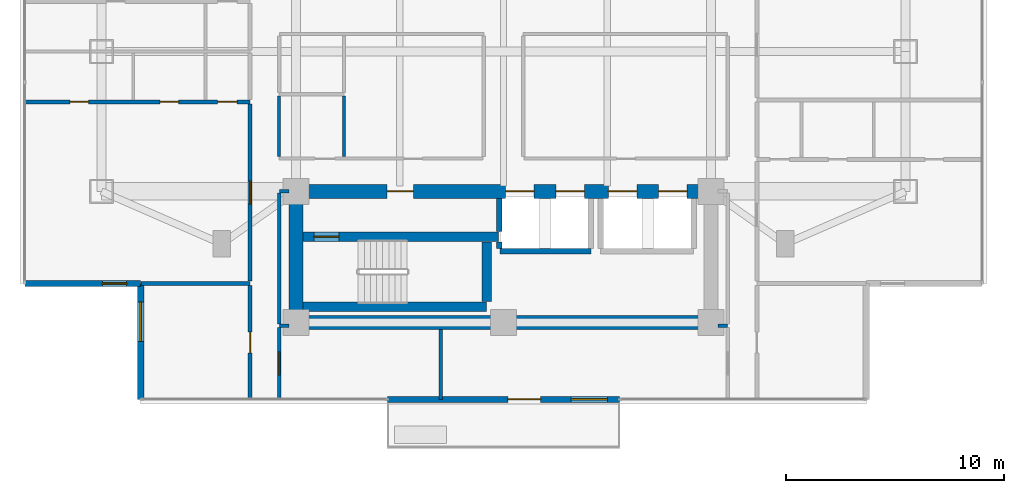
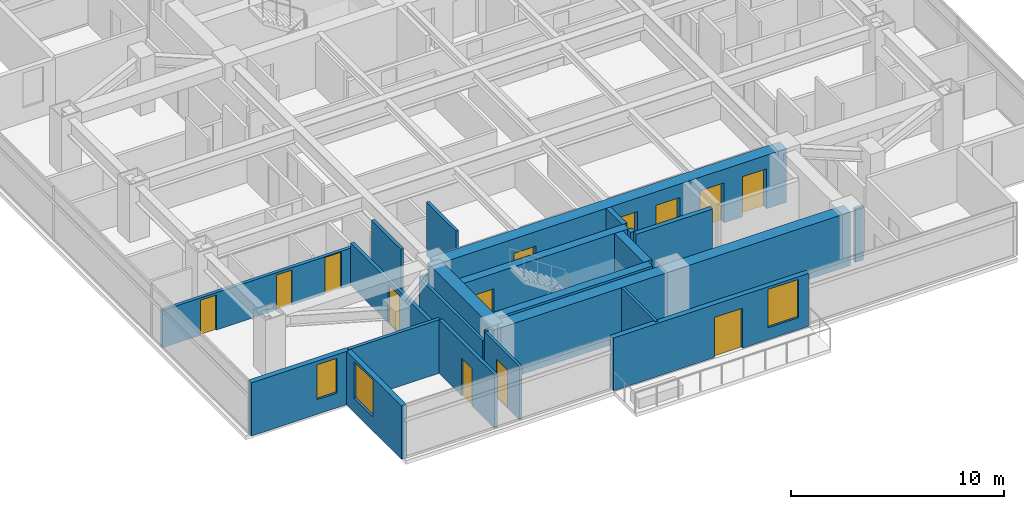
# One storey, part 13 of 26: 24 walls, 13 doors, 3 windows, 16 openings.
"""IFC4 building model written with IfcOpenShell, lengths in metres."""

from ifc_helpers import new_model, si_unit, direction, frame, frame_2d, origin, place, context, subcontext, project, spatial, rectangle, extrude, material, layer, layer_set, type_object, element, fill, save


model = new_model("IFC4")

# Units and contexts
model_context = context("Model", 3, precision=1e-05, world=origin(), true_north=direction((0.0, 1.0)))
body_context = subcontext(model_context, "Body", "Model", "MODEL_VIEW")
ifc_project = project(units=[si_unit("LENGTHUNIT", "METRE"), si_unit("AREAUNIT", "SQUARE_METRE"), si_unit("VOLUMEUNIT", "CUBIC_METRE"), si_unit("PLANEANGLEUNIT", "RADIAN"), si_unit("MASSUNIT", "GRAM", prefix="KILO")], contexts=[model_context])

# Site, building, storey
site_placement = place(None, origin())
site = spatial("IfcSite", under=ifc_project, at=site_placement, CompositionType="ELEMENT")
building_placement = place(site_placement, origin())
building = spatial("IfcBuilding", under=site, at=building_placement, Name="Mirazonda Arch Towers", CompositionType="ELEMENT")
storey_placement = place(building_placement, frame((0.0, 0.0, 108.199951171875)))
storey = spatial("IfcBuildingStorey", under=building, at=storey_placement, Name="L30", CompositionType="ELEMENT", Elevation=108.199951171875)

# Wall
ifc_material_1 = material(Name="Concrete C50/60", Category="concrete")
ifc_layer_1 = layer(ifc_material_1, 0.449951171875, Name="WALL-CORE-450")
ifc_layer_set_1 = layer_set([ifc_layer_1], Name="Concrete C50/60")
wall_type_1 = type_object("IfcWallType", Name="WALL-CORE-450", PredefinedType="SHEAR", material=ifc_layer_set_1)
wall_1_placement = place(storey_placement, frame((11.320068359375, 13.1201171875, 0.0), z_axis=(0.0, 0.0, 1.0), x_axis=(1.0, 0.0, 0.0)))
element("IfcWall", 1, at=wall_1_placement, inside=storey, type_object=wall_type_1, Name="L30 Stair Core Shear Wall 003", PredefinedType="SHEAR", context=body_context, shape_type="SweptSolid", body=[
    extrude(rectangle(XDim=8.409912109375, YDim=0.449951171875, at=frame_2d((4.205078125, 0.0))), origin(), (0.0, 0.0, 1.0), 3.080078125),
])

# Wall, opening, door
wall_2_placement = place(storey_placement, frame((11.320068359375, 16.320068359375, 0.0), z_axis=(0.0, 0.0, 1.0), x_axis=(1.0, 0.0, 0.0)))
wall_2 = element("IfcWall", 2, at=wall_2_placement, inside=storey, type_object=wall_type_1, Name="L30 Stair Core Shear Wall 008", PredefinedType="SHEAR", context=body_context, shape_type="SweptSolid", body=[
    extrude(rectangle(XDim=8.9599609375, YDim=0.449951171875, at=frame_2d((4.47998046875, 0.0))), origin(), (0.0, 0.0, 1.0), 3.080078125),
])
opening_1_placement = place(wall_2_placement, frame((0.4951171875, 0.0, 0.0)))
opening_1 = element("IfcOpeningElement", 3, at=opening_1_placement, cuts=wall_2, Name="Opening DR-135", PredefinedType="OPENING", context=body_context, shape_type="SweptSolid", body=[
    extrude(rectangle(XDim=1.14990234375, YDim=2.199951171875, at=frame_2d((0.574951171875, 1.10009765625))), frame((0.0, 0.23486328125, 0.0), z_axis=(0.0, -1.0, 0.0), x_axis=(1.0, 0.0, 0.0)), (0.0, 0.0, 1.0), 0.469970703125),
])
ifc_material_2 = material(Name="Architectural Brushed Steel S355", Category="steel")
door_type_1 = type_object("IfcDoorType", Name="DOOR-STAIR-FD90-1150", OperationType="NOTDEFINED", PredefinedType="DOOR", material=ifc_material_2)
door_1_placement = place(opening_1_placement, origin())
door_1 = element("IfcDoor", 4, at=door_1_placement, inside=storey, type_object=door_type_1, Name="L30 Protected Exit Stair South Door", OperationType="SINGLE_SWING_LEFT", OverallHeight=2.199951171875, OverallWidth=1.14990234375, PredefinedType="DOOR", context=body_context, shape_type="SweptSolid", body=[
    extrude(rectangle(XDim=1.14990234375, YDim=2.199951171875, at=frame_2d((0.574951171875, 1.10009765625))), frame((0.0, 0.02490234375, 0.0), z_axis=(0.0, -1.0, 0.0), x_axis=(1.0, 0.0, 0.0)), (0.0, 0.0, 1.0), 0.050048828125),
])
fill(opening_1, door_1)

# Walls
wall_3_placement = place(storey_placement, frame((19.72998046875, 13.35498046875, 0.0), z_axis=(0.0, 0.0, 1.0), x_axis=(0.0, 1.0, 0.0)))
element("IfcWall", 5, at=wall_3_placement, inside=storey, type_object=wall_type_1, Name="L30 Stair Core Shear Wall 092", PredefinedType="SHEAR", context=body_context, shape_type="SweptSolid", body=[
    extrude(rectangle(XDim=2.72998046875, YDim=0.449951171875, at=frame_2d((1.364990234375, 0.0))), origin(), (0.0, 0.0, 1.0), 3.080078125),
])
ifc_material_3 = material(Name="Concrete C60/75", Category="concrete")
ifc_layer_2 = layer(ifc_material_3, 0.64990234375, Name="WALL-CORE-650")
ifc_layer_set_2 = layer_set([ifc_layer_2], Name="Concrete C60/75")
wall_type_2 = type_object("IfcWallType", Name="WALL-CORE-650", PredefinedType="SHEAR", material=ifc_layer_set_2)
wall_4_placement = place(storey_placement, frame((11.0, 12.39990234375, 0.0), z_axis=(0.0, 0.0, 1.0), x_axis=(1.0, 0.0, 0.0)))
element("IfcWall", 6, at=wall_4_placement, inside=storey, type_object=wall_type_2, Name="L30 T1S-S Core Shear Wall", PredefinedType="SHEAR", context=body_context, shape_type="SweptSolid", body=[
    extrude(rectangle(XDim=19.0, YDim=0.64990234375, at=frame_2d((9.5, 0.0))), origin(), (0.0, 0.0, 1.0), 3.080078125),
])
wall_5_placement = place(storey_placement, frame((11.0, 12.39990234375, 0.0), z_axis=(0.0, 0.0, 1.0), x_axis=(0.0, 1.0, 0.0)))
element("IfcWall", 7, at=wall_5_placement, inside=storey, type_object=wall_type_2, Name="L30 T1S-W Core Shear Wall", PredefinedType="SHEAR", context=body_context, shape_type="SweptSolid", body=[
    extrude(rectangle(XDim=6.0, YDim=0.64990234375, at=frame_2d((3.0, 0.0))), origin(), (0.0, 0.0, 1.0), 3.080078125),
])

# Wall, openings, doors
wall_6_placement = place(storey_placement, frame((11.0, 18.39990234375, 0.0), z_axis=(0.0, 0.0, 1.0), x_axis=(1.0, 0.0, 0.0)))
wall_6 = element("IfcWall", 8, at=wall_6_placement, inside=storey, type_object=wall_type_2, Name="L30 T1S-N Core Shear Wall", PredefinedType="SHEAR", context=body_context, shape_type="SweptSolid", body=[
    extrude(rectangle(XDim=19.0, YDim=0.64990234375, at=frame_2d((9.5, 0.0))), origin(), (0.0, 0.0, 1.0), 3.080078125),
])
opening_2_placement = place(wall_6_placement, frame((4.175048828125, 0.0, 0.0)))
opening_2 = element("IfcOpeningElement", 9, at=opening_2_placement, cuts=wall_6, Name="Opening DR-117", PredefinedType="OPENING", context=body_context, shape_type="SweptSolid", body=[
    extrude(rectangle(XDim=1.199951171875, YDim=2.25, at=frame_2d((0.60009765625, 1.125))), frame((0.0, 0.3349609375, 0.0), z_axis=(0.0, -1.0, 0.0), x_axis=(1.0, 0.0, 0.0)), (0.0, 0.0, 1.0), 0.669921875),
])
opening_3_placement = place(wall_6_placement, frame((9.60009765625, 0.0, 0.0)))
opening_3 = element("IfcOpeningElement", 10, at=opening_3_placement, cuts=wall_6, Name="Opening LD-111", PredefinedType="OPENING", context=body_context, shape_type="SweptSolid", body=[
    extrude(rectangle(XDim=1.300048828125, YDim=2.300048828125, at=frame_2d((0.64990234375, 1.14990234375))), frame((0.0, 0.3349609375, 0.0), z_axis=(0.0, -1.0, 0.0), x_axis=(1.0, 0.0, 0.0)), (0.0, 0.0, 1.0), 0.669921875),
])
opening_4_placement = place(wall_6_placement, frame((11.89990234375, 0.0, 0.0)))
opening_4 = element("IfcOpeningElement", 11, at=opening_4_placement, cuts=wall_6, Name="Opening LD-111", PredefinedType="OPENING", context=body_context, shape_type="SweptSolid", body=[
    extrude(rectangle(XDim=1.300048828125, YDim=2.300048828125, at=frame_2d((0.64990234375, 1.14990234375))), frame((0.0, 0.3349609375, 0.0), z_axis=(0.0, -1.0, 0.0), x_axis=(1.0, 0.0, 0.0)), (0.0, 0.0, 1.0), 0.669921875),
])
opening_5_placement = place(wall_6_placement, frame((14.300048828125, 0.0, 0.0)))
opening_5 = element("IfcOpeningElement", 12, at=opening_5_placement, cuts=wall_6, Name="Opening LD-111", PredefinedType="OPENING", context=body_context, shape_type="SweptSolid", body=[
    extrude(rectangle(XDim=1.300048828125, YDim=2.300048828125, at=frame_2d((0.64990234375, 1.14990234375))), frame((0.0, 0.3349609375, 0.0), z_axis=(0.0, -1.0, 0.0), x_axis=(1.0, 0.0, 0.0)), (0.0, 0.0, 1.0), 0.669921875),
])
opening_6_placement = place(wall_6_placement, frame((16.60009765625, 0.0, 0.0)))
opening_6 = element("IfcOpeningElement", 13, at=opening_6_placement, cuts=wall_6, Name="Opening LD-111", PredefinedType="OPENING", context=body_context, shape_type="SweptSolid", body=[
    extrude(rectangle(XDim=1.300048828125, YDim=2.300048828125, at=frame_2d((0.64990234375, 1.14990234375))), frame((0.0, 0.3349609375, 0.0), z_axis=(0.0, -1.0, 0.0), x_axis=(1.0, 0.0, 0.0)), (0.0, 0.0, 1.0), 0.669921875),
])
door_type_2 = type_object("IfcDoorType", Name="DOOR-FFL-FD90-1200", OperationType="NOTDEFINED", PredefinedType="DOOR", material=ifc_material_2)
door_2_placement = place(opening_2_placement, origin())
door_2 = element("IfcDoor", 14, at=door_2_placement, inside=storey, type_object=door_type_2, Name="L30 South Core Stair & Lift Lobby Door", OperationType="SINGLE_SWING_RIGHT", OverallHeight=2.25, OverallWidth=1.199951171875, PredefinedType="DOOR", context=body_context, shape_type="SweptSolid", body=[
    extrude(rectangle(XDim=1.199951171875, YDim=2.25, at=frame_2d((0.60009765625, 1.125))), frame((0.0, 0.02490234375, 0.0), z_axis=(0.0, -1.0, 0.0), x_axis=(1.0, 0.0, 0.0)), (0.0, 0.0, 1.0), 0.050048828125),
])
fill(opening_2, door_2)
door_type_3 = type_object("IfcDoorType", Name="DOOR-LIFT-LAND-1300", OperationType="NOTDEFINED", PredefinedType="DOOR", material=ifc_material_2)
door_3_placement = place(opening_3_placement, origin())
door_3 = element("IfcDoor", 15, at=door_3_placement, inside=storey, type_object=door_type_3, Name="L30 Lift Landing Sliding Door PL-T1M1", OperationType="DOUBLE_DOOR_SLIDING", OverallHeight=2.300048828125, OverallWidth=1.300048828125, PredefinedType="DOOR", context=body_context, shape_type="SweptSolid", body=[
    extrude(rectangle(XDim=1.300048828125, YDim=2.300048828125, at=frame_2d((0.64990234375, 1.14990234375))), frame((0.0, 0.02490234375, 0.0), z_axis=(0.0, -1.0, 0.0), x_axis=(1.0, 0.0, 0.0)), (0.0, 0.0, 1.0), 0.050048828125),
])
fill(opening_3, door_3)
door_4_placement = place(opening_4_placement, origin())
door_4 = element("IfcDoor", 16, at=door_4_placement, inside=storey, type_object=door_type_3, Name="L30 Lift Landing Sliding Door PL-T1M2", OperationType="DOUBLE_DOOR_SLIDING", OverallHeight=2.300048828125, OverallWidth=1.300048828125, PredefinedType="DOOR", context=body_context, shape_type="SweptSolid", body=[
    extrude(rectangle(XDim=1.300048828125, YDim=2.300048828125, at=frame_2d((0.64990234375, 1.14990234375))), frame((0.0, 0.02490234375, 0.0), z_axis=(0.0, -1.0, 0.0), x_axis=(1.0, 0.0, 0.0)), (0.0, 0.0, 1.0), 0.050048828125),
])
fill(opening_4, door_4)
door_5_placement = place(opening_5_placement, origin())
door_5 = element("IfcDoor", 17, at=door_5_placement, inside=storey, type_object=door_type_3, Name="L30 Lift Landing Sliding Door PL-T1H1", OperationType="DOUBLE_DOOR_SLIDING", OverallHeight=2.300048828125, OverallWidth=1.300048828125, PredefinedType="DOOR", context=body_context, shape_type="SweptSolid", body=[
    extrude(rectangle(XDim=1.300048828125, YDim=2.300048828125, at=frame_2d((0.64990234375, 1.14990234375))), frame((0.0, 0.02490234375, 0.0), z_axis=(0.0, -1.0, 0.0), x_axis=(1.0, 0.0, 0.0)), (0.0, 0.0, 1.0), 0.050048828125),
])
fill(opening_5, door_5)
door_6_placement = place(opening_6_placement, origin())
door_6 = element("IfcDoor", 18, at=door_6_placement, inside=storey, type_object=door_type_3, Name="L30 Lift Landing Sliding Door PL-T1H2", OperationType="DOUBLE_DOOR_SLIDING", OverallHeight=2.300048828125, OverallWidth=1.300048828125, PredefinedType="DOOR", context=body_context, shape_type="SweptSolid", body=[
    extrude(rectangle(XDim=1.300048828125, YDim=2.300048828125, at=frame_2d((0.64990234375, 1.14990234375))), frame((0.0, 0.02490234375, 0.0), z_axis=(0.0, -1.0, 0.0), x_axis=(1.0, 0.0, 0.0)), (0.0, 0.0, 1.0), 0.050048828125),
])
fill(opening_6, door_6)

# Wall, openings, door, window
ifc_material_4 = material(Name="Precast Concrete C40/50", Category="concrete")
ifc_layer_3 = layer(ifc_material_4, 0.280029296875, Name="WALL-EXT-WALL-280")
ifc_layer_set_3 = layer_set([ifc_layer_3], Name="Precast Concrete C40/50")
wall_type_3 = type_object("IfcWallType", Name="WALL-EXT-WALL-280", PredefinedType="SOLIDWALL", material=ifc_layer_set_3)
wall_7_placement = place(storey_placement, frame((25.800048828125, 8.882080078125, 0.0), z_axis=(0.0, 0.0, 1.0), x_axis=(-1.0, 0.0, 0.0)))
wall_7 = element("IfcWall", 19, at=wall_7_placement, inside=storey, type_object=wall_type_3, Name="L30 T1 Sky-Terrace Threshold Wall WL-TERR-L30-T1", PredefinedType="SOLIDWALL", context=body_context, shape_type="SweptSolid", body=[
    extrude(rectangle(XDim=10.60009765625, YDim=0.280029296875, at=frame_2d((5.300048828125, 0.0))), origin(), (0.0, 0.0, 1.0), 3.0400390625),
])
opening_7_placement = place(wall_7_placement, frame((0.550048828125, 0.0, 0.68994140625)))
opening_7 = element("IfcOpeningElement", 20, at=opening_7_placement, cuts=wall_7, Name="Opening WN-115", PredefinedType="OPENING", context=body_context, shape_type="SweptSolid", body=[
    extrude(rectangle(XDim=1.64990234375, YDim=2.199951171875, at=frame_2d((0.824951171875, 1.10009765625))), frame((0.0, 0.14990234375, 0.0), z_axis=(0.0, -1.0, 0.0), x_axis=(1.0, 0.0, 0.0)), (0.0, 0.0, 1.0), 0.300048828125),
])
opening_8_placement = place(wall_7_placement, frame((3.60009765625, 0.0, 0.0)))
opening_8 = element("IfcOpeningElement", 21, at=opening_8_placement, cuts=wall_7, Name="Opening DR-116", PredefinedType="OPENING", context=body_context, shape_type="SweptSolid", body=[
    extrude(rectangle(XDim=1.5, YDim=2.300048828125, at=frame_2d((0.75, 1.14990234375))), frame((0.0, 0.14990234375, 0.0), z_axis=(0.0, -1.0, 0.0), x_axis=(1.0, 0.0, 0.0)), (0.0, 0.0, 1.0), 0.300048828125),
])
ifc_material_5 = material(Name="Architectural Hardwood Timber", Category="wood")
door_type_4 = type_object("IfcDoorType", Name="DOOR-TERR-EXT-1500", OperationType="NOTDEFINED", PredefinedType="DOOR", material=ifc_material_5)
door_7_placement = place(opening_8_placement, origin())
door_7 = element("IfcDoor", 22, at=door_7_placement, inside=storey, type_object=door_type_4, Name="L30 Exterior Door DR-TERR-L30-T1", OperationType="SINGLE_SWING_LEFT", OverallHeight=2.300048828125, OverallWidth=1.5, PredefinedType="DOOR", context=body_context, shape_type="SweptSolid", body=[
    extrude(rectangle(XDim=1.5, YDim=2.300048828125, at=frame_2d((0.75, 1.14990234375))), frame((0.0, 0.02490234375, 0.0), z_axis=(0.0, -1.0, 0.0), x_axis=(1.0, 0.0, 0.0)), (0.0, 0.0, 1.0), 0.050048828125),
])
fill(opening_8, door_7)
ifc_material_6 = material(Name="Insulated Low-E Solar Glass", Category="glass")
window_type_1 = type_object("IfcWindowType", Name="WIN-RES-1650x2200", PartitioningType="SINGLE_PANEL", PredefinedType="WINDOW", material=ifc_material_6)
window_1_placement = place(opening_7_placement, origin())
window_1 = element("IfcWindow", 23, at=window_1_placement, inside=storey, type_object=window_type_1, Name="L30 Punched Facade Window WN-TERR-L30-T1", OverallHeight=2.199951171875, OverallWidth=1.64990234375, PartitioningType="SINGLE_PANEL", PredefinedType="WINDOW", context=body_context, shape_type="SweptSolid", body=[
    extrude(rectangle(XDim=1.64990234375, YDim=2.199951171875, at=frame_2d((0.824951171875, 1.10009765625))), frame((0.0, 0.030029296875, 0.0), z_axis=(0.0, -1.0, 0.0), x_axis=(1.0, 0.0, 0.0)), (0.0, 0.0, 1.0), 0.06005859375),
])
fill(opening_7, window_1)

# Wall, opening, window
wall_8_placement = place(storey_placement, frame((3.89501953125, 14.18701171875, 0.0), z_axis=(0.0, 0.0, 1.0), x_axis=(0.0, -1.0, 0.0)))
wall_8 = element("IfcWall", 24, at=wall_8_placement, inside=storey, type_object=wall_type_3, Name="L30 T1 Notched SW Corner Wall WL-L30-T1-CSW", PredefinedType="SOLIDWALL", context=body_context, shape_type="SweptSolid", body=[
    extrude(rectangle(XDim=5.304931640625, YDim=0.280029296875, at=frame_2d((2.65234375, 0.0))), origin(), (0.0, 0.0, 1.0), 3.06005859375),
])
opening_9_placement = place(wall_8_placement, frame((0.85009765625, 0.0, 0.81005859375)))
opening_9 = element("IfcOpeningElement", 25, at=opening_9_placement, cuts=wall_8, Name="Opening WN-116", PredefinedType="OPENING", context=body_context, shape_type="SweptSolid", body=[
    extrude(rectangle(XDim=1.800048828125, YDim=2.10009765625, at=frame_2d((0.89990234375, 1.050048828125))), frame((0.0, 0.14990234375, 0.0), z_axis=(0.0, -1.0, 0.0), x_axis=(1.0, 0.0, 0.0)), (0.0, 0.0, 1.0), 0.300048828125),
])
window_type_2 = type_object("IfcWindowType", Name="WIN-HTL-1800x2100", PartitioningType="SINGLE_PANEL", PredefinedType="WINDOW", material=ifc_material_6)
window_2_placement = place(opening_9_placement, origin())
window_2 = element("IfcWindow", 26, at=window_2_placement, inside=storey, type_object=window_type_2, Name="L30 Punched Facade Window WN-L30-T1-CSW", OverallHeight=2.10009765625, OverallWidth=1.800048828125, PartitioningType="SINGLE_PANEL", PredefinedType="WINDOW", context=body_context, shape_type="SweptSolid", body=[
    extrude(rectangle(XDim=1.800048828125, YDim=2.10009765625, at=frame_2d((0.89990234375, 1.050048828125))), frame((0.0, 0.030029296875, 0.0), z_axis=(0.0, -1.0, 0.0), x_axis=(1.0, 0.0, 0.0)), (0.0, 0.0, 1.0), 0.06005859375),
])
fill(opening_9, window_2)

wall_9_placement = place(storey_placement, frame((-1.409912109375, 14.18701171875, 0.0), z_axis=(0.0, 0.0, 1.0), x_axis=(1.0, 0.0, 0.0)))
wall_9 = element("IfcWall", 27, at=wall_9_placement, inside=storey, type_object=wall_type_3, Name="L30 T1 Corner Notch Return Wall WL-L30-T1-CSW2", PredefinedType="SOLIDWALL", context=body_context, shape_type="SweptSolid", body=[
    extrude(rectangle(XDim=5.304931640625, YDim=0.280029296875, at=frame_2d((2.65234375, 0.0))), origin(), (0.0, 0.0, 1.0), 3.06005859375),
])
opening_10_placement = place(wall_9_placement, frame((3.554931640625, 0.0, 0.85009765625)))
opening_10 = element("IfcOpeningElement", 28, at=opening_10_placement, cuts=wall_9, Name="Opening WN-108", PredefinedType="OPENING", context=body_context, shape_type="SweptSolid", body=[
    extrude(rectangle(XDim=1.10009765625, YDim=2.0, at=frame_2d((0.550048828125, 1.0))), frame((0.0, 0.14990234375, 0.0), z_axis=(0.0, -1.0, 0.0), x_axis=(1.0, 0.0, 0.0)), (0.0, 0.0, 1.0), 0.300048828125),
])
window_type_3 = type_object("IfcWindowType", Name="WIN-NOTCH-1100x2000", PartitioningType="SINGLE_PANEL", PredefinedType="WINDOW", material=ifc_material_6)
window_3_placement = place(opening_10_placement, origin())
window_3 = element("IfcWindow", 29, at=window_3_placement, inside=storey, type_object=window_type_3, Name="L30 Punched Facade Window WN-L30-T1-CSW2", OverallHeight=2.0, OverallWidth=1.10009765625, PartitioningType="SINGLE_PANEL", PredefinedType="WINDOW", context=body_context, shape_type="SweptSolid", body=[
    extrude(rectangle(XDim=1.10009765625, YDim=2.0, at=frame_2d((0.550048828125, 1.0))), frame((0.0, 0.030029296875, 0.0), z_axis=(0.0, -1.0, 0.0), x_axis=(1.0, 0.0, 0.0)), (0.0, 0.0, 1.0), 0.06005859375),
])
fill(opening_10, window_3)

# Walls
ifc_material_7 = material(Name="Fire-Rated Gypsum Stud Partition")
ifc_layer_4 = layer(ifc_material_7, 0.14990234375, Name="WALL-PART-CORR-150")
ifc_layer_set_4 = layer_set([ifc_layer_4], Name="Fire-Rated Gypsum Stud Partition")
wall_type_4 = type_object("IfcWallType", Name="WALL-PART-CORR-150", PredefinedType="PARTITIONING", material=ifc_layer_set_4)
for number, where, z_axis, x_axis, name in (
    (30, (10.239990234375, 12.25, 0.0), (0.0, 0.0, 1.0), (1.0, 0.0, 0.0), "L30 Interior Partition 001"),
    (31, (30.320068359375, 12.25, 0.0), (0.0, 0.0, 1.0), (1.0, 0.0, 0.0), "L30 Interior Partition 002"),
):
    element("IfcWall", number, at=place(storey_placement, frame(where, z_axis=z_axis, x_axis=x_axis)), inside=storey, type_object=wall_type_4, Name=name, PredefinedType="PARTITIONING", context=body_context, shape_type="SweptSolid", body=[
        extrude(rectangle(XDim=0.43994140625, YDim=0.14990234375, at=frame_2d((0.219970703125, 0.0))), origin(), (0.0, 0.0, 1.0), 3.080078125),
    ])
wall_10_placement = place(storey_placement, frame((10.239990234375, 18.39990234375, 0.0), z_axis=(0.0, 0.0, 1.0), x_axis=(1.0, 0.0, 0.0)))
element("IfcWall", 32, at=wall_10_placement, inside=storey, type_object=wall_type_4, Name="L30 Interior Partition 012", PredefinedType="PARTITIONING", context=body_context, shape_type="SweptSolid", body=[
    extrude(rectangle(XDim=0.43994140625, YDim=0.14990234375, at=frame_2d((0.219970703125, 0.0))), origin(), (0.0, 0.0, 1.0), 2.4560546875),
])
wall_11_placement = place(storey_placement, frame((10.219970703125, 19.985107421875, 0.0), z_axis=(0.0, 0.0, 1.0), x_axis=(0.0, 1.0, 0.0)))
element("IfcWall", 33, at=wall_11_placement, inside=storey, type_object=wall_type_4, Name="L30 Interior Partition 078", PredefinedType="PARTITIONING", context=body_context, shape_type="SweptSolid", body=[
    extrude(rectangle(XDim=2.77978515625, YDim=0.14990234375, at=frame_2d((1.389892578125, 0.0))), origin(), (0.0, 0.0, 1.0), 3.080078125),
])

# Wall, opening, door
wall_12_placement = place(storey_placement, frame((10.239990234375, 8.882080078125, 0.0), z_axis=(0.0, 0.0, 1.0), x_axis=(0.0, 1.0, 0.0)))
wall_12 = element("IfcWall", 34, at=wall_12_placement, inside=storey, type_object=wall_type_4, Name="L30 Interior Partition 079", PredefinedType="PARTITIONING", context=body_context, shape_type="SweptSolid", body=[
    extrude(rectangle(XDim=3.282958984375, YDim=0.14990234375, at=frame_2d((1.6416015625, 0.0))), origin(), (0.0, 0.0, 1.0), 3.080078125),
])
opening_11_placement = place(wall_12_placement, frame((1.116455078125, 0.0, 0.0)))
opening_11 = element("IfcOpeningElement", 35, at=opening_11_placement, cuts=wall_12, Name="Opening DR-121", PredefinedType="OPENING", context=body_context, shape_type="SweptSolid", body=[
    extrude(rectangle(XDim=1.050048828125, YDim=2.199951171875, at=frame_2d((0.52490234375, 1.10009765625))), frame((0.0, 0.0849609375, 0.0), z_axis=(0.0, -1.0, 0.0), x_axis=(1.0, 0.0, 0.0)), (0.0, 0.0, 1.0), 0.169921875),
])
door_type_5 = type_object("IfcDoorType", Name="DOOR-SUITE-FD60-1050", OperationType="NOTDEFINED", PredefinedType="DOOR", material=ifc_material_2)
door_8_placement = place(opening_11_placement, origin())
door_8 = element("IfcDoor", 36, at=door_8_placement, inside=storey, type_object=door_type_5, Name="L30 South Panoramic Study Minor Door", OperationType="SINGLE_SWING_LEFT", OverallHeight=2.199951171875, OverallWidth=1.050048828125, PredefinedType="DOOR", context=body_context, shape_type="SweptSolid", body=[
    extrude(rectangle(XDim=1.050048828125, YDim=2.199951171875, at=frame_2d((0.52490234375, 1.10009765625))), frame((0.0, 0.02490234375, 0.0), z_axis=(0.0, -1.0, 0.0), x_axis=(1.0, 0.0, 0.0)), (0.0, 0.0, 1.0), 0.050048828125),
])
fill(opening_11, door_8)

# Walls
wall_13_placement = place(storey_placement, frame((10.239990234375, 12.3349609375, 0.0), z_axis=(0.0, 0.0, 1.0), x_axis=(0.0, 1.0, 0.0)))
element("IfcWall", 37, at=wall_13_placement, inside=storey, type_object=wall_type_4, Name="L30 Interior Partition 080", PredefinedType="PARTITIONING", context=body_context, shape_type="SweptSolid", body=[
    extrude(rectangle(XDim=5.97998046875, YDim=0.14990234375, at=frame_2d((2.989990234375, 0.0))), origin(), (0.0, 0.0, 1.0), 2.4560546875),
])
wall_14_placement = place(storey_placement, frame((13.199951171875, 19.985107421875, 0.0), z_axis=(0.0, 0.0, 1.0), x_axis=(0.0, 1.0, 0.0)))
element("IfcWall", 38, at=wall_14_placement, inside=storey, type_object=wall_type_4, Name="L30 Interior Partition 086", PredefinedType="PARTITIONING", context=body_context, shape_type="SweptSolid", body=[
    extrude(rectangle(XDim=2.77978515625, YDim=0.14990234375, at=frame_2d((1.389892578125, 0.0))), origin(), (0.0, 0.0, 1.0), 3.080078125),
])
wall_15_placement = place(storey_placement, frame((17.626953125, 8.882080078125, 0.0), z_axis=(0.0, 0.0, 1.0), x_axis=(0.0, 1.0, 0.0)))
element("IfcWall", 39, at=wall_15_placement, inside=storey, type_object=wall_type_4, Name="L30 Interior Partition 089", PredefinedType="PARTITIONING", context=body_context, shape_type="SweptSolid", body=[
    extrude(rectangle(XDim=3.197998046875, YDim=0.14990234375, at=frame_2d((1.59912109375, 0.0))), origin(), (0.0, 0.0, 1.0), 3.080078125),
])
ifc_material_8 = material(Name="Fire-Rated Gypsum Twin-Stud Assembly")
ifc_layer_5 = layer(ifc_material_8, 0.179931640625, Name="WALL-PART-DEMISE-180")
ifc_layer_set_5 = layer_set([ifc_layer_5], Name="Fire-Rated Gypsum Twin-Stud Assembly")
wall_type_5 = type_object("IfcWallType", Name="WALL-PART-DEMISE-180", PredefinedType="PARTITIONING", material=ifc_layer_set_5)
wall_16_placement = place(storey_placement, frame((3.9150390625, 14.18701171875, 0.0), z_axis=(0.0, 0.0, 1.0), x_axis=(1.0, 0.0, 0.0)))
element("IfcWall", 40, at=wall_16_placement, inside=storey, type_object=wall_type_5, Name="L30 Interior Partition 004", PredefinedType="PARTITIONING", context=body_context, shape_type="SweptSolid", body=[
    extrude(rectangle(XDim=4.98486328125, YDim=0.179931640625, at=frame_2d((2.492431640625, 0.0))), origin(), (0.0, 0.0, 1.0), 3.080078125),
])

# Wall, openings, doors
wall_17_placement = place(storey_placement, frame((-1.409912109375, 22.5, 0.0), z_axis=(0.0, 0.0, 1.0), x_axis=(1.0, 0.0, 0.0)))
wall_17 = element("IfcWall", 41, at=wall_17_placement, inside=storey, type_object=wall_type_5, Name="L30 Interior Partition 022", PredefinedType="PARTITIONING", context=body_context, shape_type="SweptSolid", body=[
    extrude(rectangle(XDim=10.309814453125, YDim=0.179931640625, at=frame_2d((5.15478515625, 0.0))), origin(), (0.0, 0.0, 1.0), 2.14501953125),
])
opening_12_placement = place(wall_17_placement, frame((2.075927734375, 0.0, 0.0)))
opening_12 = element("IfcOpeningElement", 42, at=opening_12_placement, cuts=wall_17, Name="Opening DR-128", PredefinedType="OPENING", context=body_context, shape_type="SweptSolid", body=[
    extrude(rectangle(XDim=0.85009765625, YDim=2.010009765625, at=frame_2d((0.425048828125, 1.0048828125))), frame((0.0, 0.099853515625, 0.0), z_axis=(0.0, -1.0, 0.0), x_axis=(1.0, 0.0, 0.0)), (0.0, 0.0, 1.0), 0.199951171875),
])
opening_13_placement = place(wall_17_placement, frame((6.19091796875, 0.0, 0.0)))
opening_13 = element("IfcOpeningElement", 43, at=opening_13_placement, cuts=wall_17, Name="Opening DR-128", PredefinedType="OPENING", context=body_context, shape_type="SweptSolid", body=[
    extrude(rectangle(XDim=0.85009765625, YDim=2.010009765625, at=frame_2d((0.425048828125, 1.0048828125))), frame((0.0, 0.099853515625, 0.0), z_axis=(0.0, -1.0, 0.0), x_axis=(1.0, 0.0, 0.0)), (0.0, 0.0, 1.0), 0.199951171875),
])
opening_14_placement = place(wall_17_placement, frame((8.820068359375, 0.0, 0.0)))
opening_14 = element("IfcOpeningElement", 44, at=opening_14_placement, cuts=wall_17, Name="Opening DR-120", PredefinedType="OPENING", context=body_context, shape_type="SweptSolid", body=[
    extrude(rectangle(XDim=0.89990234375, YDim=2.10009765625, at=frame_2d((0.449951171875, 1.050048828125))), frame((0.0, 0.099853515625, 0.0), z_axis=(0.0, -1.0, 0.0), x_axis=(1.0, 0.0, 0.0)), (0.0, 0.0, 1.0), 0.199951171875),
])
door_type_6 = type_object("IfcDoorType", Name="DOOR-RISER-FD60-850", OperationType="NOTDEFINED", PredefinedType="DOOR", material=ifc_material_2)
door_9_placement = place(opening_12_placement, origin())
door_9 = element("IfcDoor", 45, at=door_9_placement, inside=storey, type_object=door_type_6, Name="L30 Residence 1 Principal Bedroom Door", OperationType="SINGLE_SWING_RIGHT", OverallHeight=2.010009765625, OverallWidth=0.85009765625, PredefinedType="DOOR", context=body_context, shape_type="SweptSolid", body=[
    extrude(rectangle(XDim=0.85009765625, YDim=2.010009765625, at=frame_2d((0.425048828125, 1.0048828125))), frame((0.0, 0.02490234375, 0.0), z_axis=(0.0, -1.0, 0.0), x_axis=(1.0, 0.0, 0.0)), (0.0, 0.0, 1.0), 0.050048828125),
])
fill(opening_12, door_9)
door_10_placement = place(opening_13_placement, origin())
door_10 = element("IfcDoor", 46, at=door_10_placement, inside=storey, type_object=door_type_6, Name="L30 Residence 1 Fitted Kitchen Door", OperationType="SINGLE_SWING_LEFT", OverallHeight=2.010009765625, OverallWidth=0.85009765625, PredefinedType="DOOR", context=body_context, shape_type="SweptSolid", body=[
    extrude(rectangle(XDim=0.85009765625, YDim=2.010009765625, at=frame_2d((0.425048828125, 1.0048828125))), frame((0.0, 0.02490234375, 0.0), z_axis=(0.0, -1.0, 0.0), x_axis=(1.0, 0.0, 0.0)), (0.0, 0.0, 1.0), 0.050048828125),
])
fill(opening_13, door_10)
door_type_7 = type_object("IfcDoorType", Name="DOOR-WC-900", OperationType="NOTDEFINED", PredefinedType="DOOR", material=ifc_material_2)
door_11_placement = place(opening_14_placement, origin())
door_11 = element("IfcDoor", 47, at=door_11_placement, inside=storey, type_object=door_type_7, Name="L30 Residence 1 Bathroom Door", OperationType="SINGLE_SWING_RIGHT", OverallHeight=2.10009765625, OverallWidth=0.89990234375, PredefinedType="DOOR", context=body_context, shape_type="SweptSolid", body=[
    extrude(rectangle(XDim=0.89990234375, YDim=2.10009765625, at=frame_2d((0.449951171875, 1.050048828125))), frame((0.0, 0.02490234375, 0.0), z_axis=(0.0, -1.0, 0.0), x_axis=(1.0, 0.0, 0.0)), (0.0, 0.0, 1.0), 0.050048828125),
])
fill(opening_14, door_11)

# Wall, opening, door
wall_18_placement = place(storey_placement, frame((8.89990234375, 8.882080078125, 0.0), z_axis=(0.0, 0.0, 1.0), x_axis=(0.0, 1.0, 0.0)))
wall_18 = element("IfcWall", 48, at=wall_18_placement, inside=storey, type_object=wall_type_5, Name="L30 Interior Partition 070", PredefinedType="PARTITIONING", context=body_context, shape_type="SweptSolid", body=[
    extrude(rectangle(XDim=5.204833984375, YDim=0.179931640625, at=frame_2d((2.6025390625, 0.0))), origin(), (0.0, 0.0, 1.0), 3.080078125),
])
opening_15_placement = place(wall_18_placement, frame((2.12744140625, 0.0, 0.0)))
opening_15 = element("IfcOpeningElement", 49, at=opening_15_placement, cuts=wall_18, Name="Opening DR-104", PredefinedType="OPENING", context=body_context, shape_type="SweptSolid", body=[
    extrude(rectangle(XDim=0.949951171875, YDim=2.14990234375, at=frame_2d((0.47509765625, 1.074951171875))), frame((0.0, 0.099853515625, 0.0), z_axis=(0.0, -1.0, 0.0), x_axis=(1.0, 0.0, 0.0)), (0.0, 0.0, 1.0), 0.199951171875),
])
door_type_8 = type_object("IfcDoorType", Name="DOOR-ROOM-950", OperationType="NOTDEFINED", PredefinedType="DOOR", material=ifc_material_2)
door_12_placement = place(opening_15_placement, origin())
door_12 = element("IfcDoor", 50, at=door_12_placement, inside=storey, type_object=door_type_8, Name="L30 South Panoramic Study Alcove West Door", OperationType="SINGLE_SWING_LEFT", OverallHeight=2.14990234375, OverallWidth=0.949951171875, PredefinedType="DOOR", context=body_context, shape_type="SweptSolid", body=[
    extrude(rectangle(XDim=0.949951171875, YDim=2.14990234375, at=frame_2d((0.47509765625, 1.074951171875))), frame((0.0, 0.02490234375, 0.0), z_axis=(0.0, -1.0, 0.0), x_axis=(1.0, 0.0, 0.0)), (0.0, 0.0, 1.0), 0.050048828125),
])
fill(opening_15, door_12)

wall_19_placement = place(storey_placement, frame((8.89990234375, 14.287109375, 0.0), z_axis=(0.0, 0.0, 1.0), x_axis=(0.0, 1.0, 0.0)))
wall_19 = element("IfcWall", 51, at=wall_19_placement, inside=storey, type_object=wall_type_5, Name="L30 Interior Partition 071", PredefinedType="PARTITIONING", context=body_context, shape_type="SweptSolid", body=[
    extrude(rectangle(XDim=8.11279296875, YDim=0.179931640625, at=frame_2d((4.056396484375, 0.0))), origin(), (0.0, 0.0, 1.0), 2.4560546875),
])
opening_16_placement = place(wall_19_placement, frame((3.531494140625, 0.0, 0.0)))
opening_16 = element("IfcOpeningElement", 52, at=opening_16_placement, cuts=wall_19, Name="Opening DR-121", PredefinedType="OPENING", context=body_context, shape_type="SweptSolid", body=[
    extrude(rectangle(XDim=1.050048828125, YDim=2.199951171875, at=frame_2d((0.52490234375, 1.10009765625))), frame((0.0, 0.099853515625, 0.0), z_axis=(0.0, -1.0, 0.0), x_axis=(1.0, 0.0, 0.0)), (0.0, 0.0, 1.0), 0.199951171875),
])
door_13_placement = place(opening_16_placement, origin())
door_13 = element("IfcDoor", 53, at=door_13_placement, inside=storey, type_object=door_type_5, Name="L30 Penthouse Residence 1 Living & Dining Salon Door", OperationType="SINGLE_SWING_LEFT", OverallHeight=2.199951171875, OverallWidth=1.050048828125, PredefinedType="DOOR", context=body_context, shape_type="SweptSolid", body=[
    extrude(rectangle(XDim=1.050048828125, YDim=2.199951171875, at=frame_2d((0.52490234375, 1.10009765625))), frame((0.0, 0.02490234375, 0.0), z_axis=(0.0, -1.0, 0.0), x_axis=(1.0, 0.0, 0.0)), (0.0, 0.0, 1.0), 0.050048828125),
])
fill(opening_16, door_13)

# Walls
ifc_material_9 = material(Name="Concrete C40/50", Category="concrete")
ifc_layer_6 = layer(ifc_material_9, 0.25, Name="WALL-SHAFT-250")
ifc_layer_set_6 = layer_set([ifc_layer_6], Name="Concrete C40/50")
wall_type_6 = type_object("IfcWallType", Name="WALL-SHAFT-250", PredefinedType="SOLIDWALL", material=ifc_layer_set_6)
wall_20_placement = place(storey_placement, frame((20.35009765625, 15.64990234375, 0.0), z_axis=(0.0, 0.0, 1.0), x_axis=(1.0, 0.0, 0.0)))
element("IfcWall", 54, at=wall_20_placement, inside=storey, type_object=wall_type_6, Name="L30 Interior Partition 006", PredefinedType="SOLIDWALL", context=body_context, shape_type="SweptSolid", body=[
    extrude(rectangle(XDim=4.14990234375, YDim=0.25, at=frame_2d((2.074951171875, 0.0))), origin(), (0.0, 0.0, 1.0), 3.080078125),
])
wall_21_placement = place(storey_placement, frame((20.31494140625, 15.784912109375, 0.0), z_axis=(0.0, 0.0, 1.0), x_axis=(0.0, 1.0, 0.0)))
element("IfcWall", 55, at=wall_21_placement, inside=storey, type_object=wall_type_6, Name="L30 Interior Partition 094", PredefinedType="SOLIDWALL", context=body_context, shape_type="SweptSolid", body=[
    extrude(rectangle(XDim=0.300048828125, YDim=0.25, at=frame_2d((0.14990234375, 0.0))), origin(), (0.0, 0.0, 1.0), 3.080078125),
])
wall_22_placement = place(storey_placement, frame((20.31494140625, 16.554931640625, 0.0), z_axis=(0.0, 0.0, 1.0), x_axis=(0.0, 1.0, 0.0)))
element("IfcWall", 56, at=wall_22_placement, inside=storey, type_object=wall_type_6, Name="L30 Interior Partition 095", PredefinedType="SOLIDWALL", context=body_context, shape_type="SweptSolid", body=[
    extrude(rectangle(XDim=1.525146484375, YDim=0.25, at=frame_2d((0.7626953125, 0.0))), origin(), (0.0, 0.0, 1.0), 3.080078125),
])

save(model, "model.ifc")
